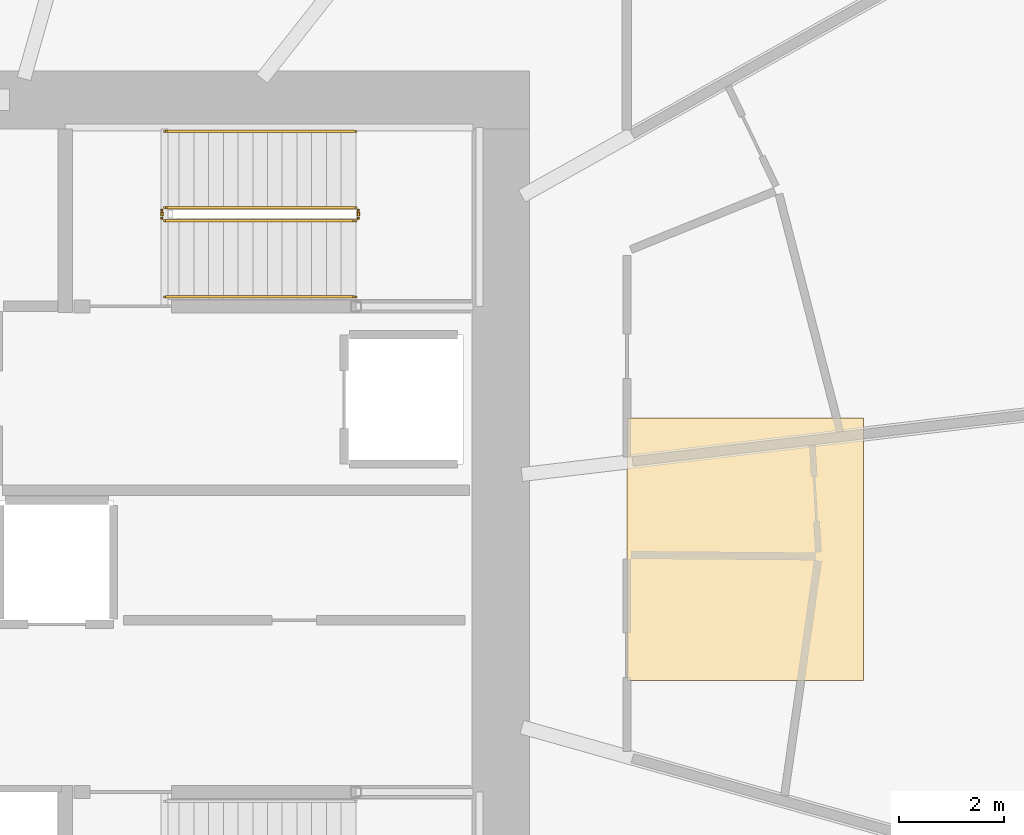
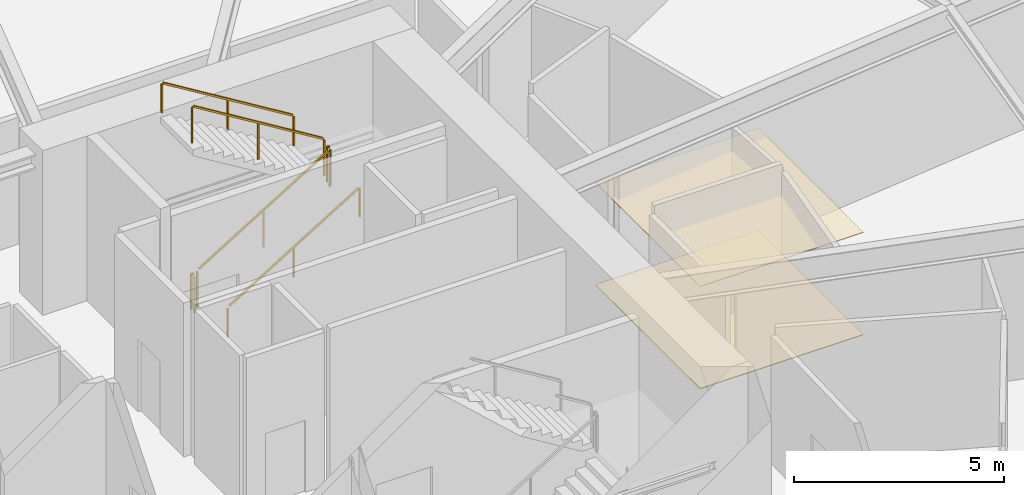
# One storey, part 22 of 22: 6 railings, 2 coverings.
"""IFC4 building model written with IfcOpenShell, lengths in metres."""

import ifcopenshell
import ifcopenshell.guid

model = None  # the IFC model being written
_history = None  # IfcOwnerHistory: only IFC2X3 demands one
_inside = {}  # id of a spatial element -> (the spatial element, [elements in it])
_under = {}  # id of a project, library or spatial element -> (it, [spatial elements below it])
_declared = {}  # id of a project -> (the project, [libraries it declares])
_typed = {}  # id of a type object -> (the type object, [elements of that type])
_made_of = {}  # id of a material, layer set ... -> (it, [elements and type objects made of it])


def new_model(schema):
    """Start an empty IFC model of exactly this schema.

    Asked for "IFC4X3", IfcOpenShell would pick the latest addendum, in which some entities
    have other attributes; the version numbers below select the first issue.
    IFC2X3 requires an IfcOwnerHistory on every rooted entity: one is made here for all.
    """
    global model, _history
    if schema == "IFC4X3":
        model = ifcopenshell.file(schema_version=(4, 3, 0, 0))
    else:
        model = ifcopenshell.file(schema=schema)
    _inside.clear()
    _under.clear()
    _declared.clear()
    _typed.clear()
    _made_of.clear()
    _history = None
    if model.schema == "IFC2X3":
        org = make("IfcOrganization", Name="unknown")
        user = make(
            "IfcPersonAndOrganization",
            ThePerson=make("IfcPerson", FamilyName="unknown"),
            TheOrganization=org,
        )
        app = make(
            "IfcApplication",
            ApplicationDeveloper=org,
            Version="unknown",
            ApplicationFullName="unknown",
            ApplicationIdentifier="unknown",
        )
        _history = make(
            "IfcOwnerHistory",
            OwningUser=user,
            OwningApplication=app,
            ChangeAction="ADDED",
            CreationDate=0,
        )
    return model


def make(cls, **values):
    """One entity of the class cls with the attributes given. An attribute that is None is left unset."""
    return model.create_entity(
        cls, **{name: value for name, value in values.items() if value is not None}
    )


def rooted(cls, **values):
    """An entity with a GlobalId (a new one), such as an element, a storey or a relation."""
    return make(cls, GlobalId=ifcopenshell.guid.new(), OwnerHistory=_history, **values)


def si_unit(unit_type, name, prefix=None):
    """IfcSIUnit, for example si_unit("LENGTHUNIT", "METRE", prefix="MILLI")."""
    return make("IfcSIUnit", UnitType=unit_type, Prefix=prefix, Name=name)


def assignment(units):
    """IfcUnitAssignment: the units of a project."""
    return None if units is None else make("IfcUnitAssignment", Units=units)


def point(xyz):
    """IfcCartesianPoint."""
    return None if xyz is None else make("IfcCartesianPoint", Coordinates=xyz)


def direction(xyz):
    """IfcDirection."""
    return None if xyz is None else make("IfcDirection", DirectionRatios=xyz)


def frame(location, z_axis=None, x_axis=None):
    """IfcAxis2Placement3D, a coordinate frame: its origin and axes. An axis left out is left unset."""
    return make(
        "IfcAxis2Placement3D",
        Location=point(location),
        Axis=direction(z_axis),
        RefDirection=direction(x_axis),
    )


def frame_2d(location, x_axis=None):
    """IfcAxis2Placement2D, a coordinate frame in the plane: its origin and x axis."""
    return make(
        "IfcAxis2Placement2D", Location=point(location), RefDirection=direction(x_axis)
    )


def origin():
    """The frame at (0, 0, 0) with its axes left unset."""
    return frame((0.0, 0.0, 0.0))


def origin_2d():
    """The frame at (0, 0) in the plane with its x axis left unset."""
    return frame_2d((0.0, 0.0))


def place(relative_to, where):
    """IfcLocalPlacement: puts the frame where relative to a parent placement (None: the world)."""
    return make(
        "IfcLocalPlacement", PlacementRelTo=relative_to, RelativePlacement=where
    )


def context(
    kind, dimensions, precision=None, world=None, true_north=None, identifier=None
):
    """IfcGeometricRepresentationContext, for example the 3D "Model" context."""
    return make(
        "IfcGeometricRepresentationContext",
        ContextIdentifier=identifier,
        ContextType=kind,
        CoordinateSpaceDimension=dimensions,
        Precision=precision,
        WorldCoordinateSystem=world,
        TrueNorth=true_north,
    )


def subcontext(parent, identifier, kind, view, scale=None):
    """IfcGeometricRepresentationSubContext, for example "Body" below "Model"."""
    return make(
        "IfcGeometricRepresentationSubContext",
        ContextIdentifier=identifier,
        ContextType=kind,
        ParentContext=parent,
        TargetScale=scale,
        TargetView=view,
    )


def project(units=None, contexts=None):
    """IfcProject with its units and contexts."""
    return rooted(
        "IfcProject",
        Name="project",
        RepresentationContexts=contexts,
        UnitsInContext=assignment(units),
    )


def spatial(cls, under=None, at=None, **own):
    """A site, building, storey or space (cls), placed at a placement, below another one or the project."""
    s = rooted(cls, ObjectPlacement=at, **own)
    if under is not None:
        _under.setdefault(under.id(), (under, []))[1].append(s)
    return s


def polyline(points):
    """IfcPolyline through the points."""
    return make("IfcPolyline", Points=[point(p) for p in points])


def profile(cls, at=None, kind="AREA", **sizes):
    """A parametric profile (cls). Its sizes go by their IFC names, for example OverallWidth=200.0."""
    return make(cls, ProfileType=kind, Position=at, **sizes)


def rectangle(**sizes):
    """IfcRectangleProfileDef."""
    return profile("IfcRectangleProfileDef", **sizes)


def outline(outer, holes=None, kind="AREA"):
    """IfcArbitraryClosedProfileDef: a profile drawn as a closed curve; with holes, ...WithVoids."""
    if holes is None:
        return make("IfcArbitraryClosedProfileDef", ProfileType=kind, OuterCurve=outer)
    return make(
        "IfcArbitraryProfileDefWithVoids",
        ProfileType=kind,
        OuterCurve=outer,
        InnerCurves=holes,
    )


def extrude(swept, where, along, depth):
    """IfcExtrudedAreaSolid: the profile swept, set in the frame where, extruded along a direction by depth."""
    return make(
        "IfcExtrudedAreaSolid",
        SweptArea=swept,
        Position=where,
        ExtrudedDirection=direction(along),
        Depth=depth,
    )


def shape(context_of_items, identifier, shape_type, items):
    """IfcShapeRepresentation: the items that make up one representation, for example the "Body"."""
    return make(
        "IfcShapeRepresentation",
        ContextOfItems=context_of_items,
        RepresentationIdentifier=identifier,
        RepresentationType=shape_type,
        Items=items,
    )


def material(Name=None, Category=None):
    """IfcMaterial."""
    return make("IfcMaterial", Name=Name, Category=Category)


def layer(
    of_material, thickness, ventilated=None, Name=None, Category=None, Priority=None
):
    """IfcMaterialLayer: one layer of a wall or slab, of a material (None: an air gap)."""
    return make(
        "IfcMaterialLayer",
        Material=of_material,
        LayerThickness=thickness,
        IsVentilated=ventilated,
        Name=Name,
        Category=Category,
        Priority=Priority,
    )


def layer_set(layers, Name=None):
    """IfcMaterialLayerSet."""
    return make("IfcMaterialLayerSet", MaterialLayers=layers, LayerSetName=Name)


def made_of(thing, what):
    """Note that an element or type object is made of a material, layer set ...; save() writes the relation."""
    if what is not None:
        _made_of.setdefault(what.id(), (what, []))[1].append(thing)
    return thing


def type_object(cls, material=None, **own):
    """A type object (cls), such as IfcWallType, which elements share."""
    return made_of(rooted(cls, **own), material)


def element(
    cls,
    number,
    at=None,
    inside=None,
    cuts=None,
    type_object=None,
    material=None,
    context=None,
    identifier="Body",
    shape_type=None,
    held_by="IfcProductDefinitionShape",
    body=None,
    shapes=None,
    **own,
):
    """One element of the class cls, such as IfcWall. Its Tag is "e" and its number.

    at: its placement. inside: the storey or other place that contains it. cuts: it is an
    opening in that element (IfcRelVoidsElement). A single representation is given by context,
    identifier, shape_type and body (its items); several are given by shapes. held_by: the class
    of the entity that holds the representations. save() writes the other relations.
    """
    e = rooted(cls, Tag="e%d" % number, ObjectPlacement=at, **own)
    if body is not None:
        shapes = [shape(context, identifier, shape_type, body)]
    if shapes is not None:
        e.Representation = make(held_by, Representations=shapes)
    if inside is not None:
        _inside.setdefault(inside.id(), (inside, []))[1].append(e)
    if cuts is not None:
        rooted(
            "IfcRelVoidsElement", RelatingBuildingElement=cuts, RelatedOpeningElement=e
        )
    if type_object is not None:
        _typed.setdefault(type_object.id(), (type_object, []))[1].append(e)
    return made_of(e, material)


def aggregate(whole, parts):
    """IfcRelAggregates: a whole, such as a stair, and the parts it consists of."""
    return rooted("IfcRelAggregates", RelatingObject=whole, RelatedObjects=parts)


def save(model, path):
    """Write the relations noted so far, then the file.

    IfcRelAggregates (storeys below a building ...), IfcRelContainedInSpatialStructure (elements
    in a storey), IfcRelDefinesByType, IfcRelAssociatesMaterial and IfcRelDeclares: one each for
    every whole, place, type object, material and project.
    """
    for whole, parts in _under.values():
        aggregate(whole, parts)
    for where, things in _inside.values():
        rooted(
            "IfcRelContainedInSpatialStructure",
            RelatedElements=things,
            RelatingStructure=where,
        )
    for kind, things in _typed.values():
        rooted("IfcRelDefinesByType", RelatedObjects=things, RelatingType=kind)
    for what, things in _made_of.values():
        rooted("IfcRelAssociatesMaterial", RelatedObjects=things, RelatingMaterial=what)
    for by, libraries in _declared.values():
        rooted("IfcRelDeclares", RelatingContext=by, RelatedDefinitions=libraries)
    model.write(path)


model = new_model("IFC4")

# Units and contexts
model_context = context("Model", 3, precision=1e-05, world=origin(), true_north=direction((0.0, 1.0)))
body_context = subcontext(model_context, "Body", "Model", "MODEL_VIEW")
ifc_project = project(units=[si_unit("LENGTHUNIT", "METRE"), si_unit("AREAUNIT", "SQUARE_METRE"), si_unit("VOLUMEUNIT", "CUBIC_METRE"), si_unit("PLANEANGLEUNIT", "RADIAN"), si_unit("MASSUNIT", "GRAM", prefix="KILO")], contexts=[model_context])

# Site, building, storey
site_placement = place(None, origin())
site = spatial("IfcSite", under=ifc_project, at=site_placement, CompositionType="ELEMENT")
building_placement = place(site_placement, origin())
building = spatial("IfcBuilding", under=site, at=building_placement, Name="Kazma Halo Residences", CompositionType="ELEMENT")
storey_placement = place(building_placement, frame((0.0, 0.0, 12.0)))
storey = spatial("IfcBuildingStorey", under=building, at=storey_placement, Name="L02", CompositionType="ELEMENT", Elevation=12.0)

# Coverings
ifc_material_1 = material(Name="Perforated Gypsum Acoustic Ceiling")
ifc_layer_1 = layer(ifc_material_1, 0.02490234375)
ifc_layer_set_1 = layer_set([ifc_layer_1], Name="Perforated Gypsum Acoustic Ceiling")
covering_type_1 = type_object("IfcCoveringType", Name="COV-CEIL-ACOUSTIC", PredefinedType="CEILING", material=ifc_layer_set_1)
covering_1_placement = place(storey_placement, frame((0.0, 0.0, 2.97509765625)))
element("IfcCovering", 1, at=covering_1_placement, inside=storey, type_object=covering_type_1, Name="L02 amenity acoustic ceiling", PredefinedType="CEILING", context=body_context, shape_type="SweptSolid", body=[
    extrude(outline(polyline([(62.0, 39.5), (66.5, 39.5), (66.5, 44.5), (62.0, 44.5), (62.0, 39.5)])), origin(), (0.0, 0.0, 1.0), 0.02490234375),
])
ifc_material_2 = material(Name="Polished Limestone Terrazzo Flooring", Category="masonry")
ifc_layer_2 = layer(ifc_material_2, 0.02001953125)
ifc_layer_set_2 = layer_set([ifc_layer_2], Name="Polished Limestone Terrazzo Flooring")
covering_type_2 = type_object("IfcCoveringType", Name="COV-FLR-TERRAZZO", PredefinedType="FLOORING", material=ifc_layer_set_2)
covering_2_placement = place(storey_placement, origin())
element("IfcCovering", 2, at=covering_2_placement, inside=storey, type_object=covering_type_2, Name="L02 amenity terrazzo floor finish", PredefinedType="FLOORING", context=body_context, shape_type="SweptSolid", body=[
    extrude(outline(polyline([(62.0, 39.5), (66.5, 39.5), (66.5, 44.5), (62.0, 44.5), (62.0, 39.5)])), origin(), (0.0, 0.0, 1.0), 0.02001953125),
])

# Railings
ifc_material_3 = material(Name="Painted Steel S355", Category="steel")
railing_type_1 = type_object("IfcRailingType", Name="RLG-STAIR-GRD-1100", PredefinedType="GUARDRAIL", material=ifc_material_3)
railing_1_placement = place(storey_placement, frame((53.199951171875, 48.25, 0.17138671875)))
element("IfcRailing", 3, at=railing_1_placement, inside=storey, type_object=railing_type_1, Name="L02 ST-02 stair guard 1", PredefinedType="GUARDRAIL", context=body_context, shape_type="SweptSolid", body=[
    extrude(rectangle(XDim=0.050048828125, YDim=0.050048828125, at=origin_2d()), frame((0.036376953125, 0.0, 1.09716796875), z_axis=(0.852865859571, 0.0, 0.52213008492), x_axis=(0.0, 1.0, 0.0)), (0.0, 0.0, 1.0), 4.18310546875),
    extrude(rectangle(XDim=0.0400390625, YDim=0.0400390625, at=origin_2d()), origin(), (0.0, 0.0, 1.0), 1.0380859375),
    extrude(rectangle(XDim=0.0400390625, YDim=0.0400390625, at=origin_2d()), frame((1.820068359375, 0.0, 1.1142578125)), (0.0, 0.0, 1.0), 1.0380859375),
    extrude(rectangle(XDim=0.0400390625, YDim=0.0400390625, at=origin_2d()), frame((3.64013671875, 0.0, 2.228515625)), (0.0, 0.0, 1.0), 1.0380859375),
])
railing_2_placement = place(storey_placement, frame((56.889892578125, 48.300048828125, 2.39990234375)))
element("IfcRailing", 4, at=railing_2_placement, inside=storey, type_object=railing_type_1, Name="L02 ST-02 stair guard 2", PredefinedType="GUARDRAIL", context=body_context, shape_type="SweptSolid", body=[
    extrude(rectangle(XDim=0.050048828125, YDim=0.050048828125, at=origin_2d()), frame((0.0, 0.04248046875, 1.0751953125), z_axis=(0.0, 1.0, 0.0), x_axis=(-1.0, 0.0, 0.0)), (0.0, 0.0, 1.0), 0.06494140625),
    extrude(rectangle(XDim=0.0400390625, YDim=0.0400390625, at=origin_2d()), origin(), (0.0, 0.0, 1.0), 1.0380859375),
    extrude(rectangle(XDim=0.0400390625, YDim=0.0400390625, at=origin_2d()), frame((0.0, 0.14990234375, 0.0)), (0.0, 0.0, 1.0), 1.0380859375),
])
railing_3_placement = place(storey_placement, frame((56.840087890625, 48.5, 2.571533203125)))
element("IfcRailing", 5, at=railing_3_placement, inside=storey, type_object=railing_type_1, Name="L02 ST-02 stair guard 3", PredefinedType="GUARDRAIL", context=body_context, shape_type="SweptSolid", body=[
    extrude(rectangle(XDim=0.050048828125, YDim=0.050048828125, at=origin_2d()), frame((-0.036376953125, 0.0, 1.09716796875), z_axis=(-0.852865859571, 0.0, 0.52213008492), x_axis=(0.0, -1.0, 0.0)), (0.0, 0.0, 1.0), 4.18310546875),
    extrude(rectangle(XDim=0.0400390625, YDim=0.0400390625, at=origin_2d()), origin(), (0.0, 0.0, 1.0), 1.0380859375),
    extrude(rectangle(XDim=0.0400390625, YDim=0.0400390625, at=origin_2d()), frame((-1.820068359375, 0.0, 1.1142578125)), (0.0, 0.0, 1.0), 1.0380859375),
    extrude(rectangle(XDim=0.0400390625, YDim=0.0400390625, at=origin_2d()), frame((-3.64013671875, 0.0, 2.228515625)), (0.0, 0.0, 1.0), 1.0380859375),
])
railing_4_placement = place(storey_placement, frame((53.14990234375, 48.300048828125, 0.0)))
element("IfcRailing", 6, at=railing_4_placement, inside=storey, type_object=railing_type_1, Name="L02 ST-02 stair guard 4", PredefinedType="GUARDRAIL", context=body_context, shape_type="SweptSolid", body=[
    extrude(rectangle(XDim=0.050048828125, YDim=0.050048828125, at=origin_2d()), frame((0.0, 0.04248046875, 1.0751953125), z_axis=(0.0, 1.0, 0.0), x_axis=(-1.0, 0.0, 0.0)), (0.0, 0.0, 1.0), 0.06494140625),
    extrude(rectangle(XDim=0.0400390625, YDim=0.0400390625, at=origin_2d()), origin(), (0.0, 0.0, 1.0), 1.0380859375),
    extrude(rectangle(XDim=0.0400390625, YDim=0.0400390625, at=origin_2d()), frame((0.0, 0.14990234375, 0.0)), (0.0, 0.0, 1.0), 1.0380859375),
])
ifc_material_4 = material(Name="Brushed Stainless Steel", Category="steel")
railing_type_2 = type_object("IfcRailingType", Name="RLG-STAIR-HND-900", PredefinedType="HANDRAIL", material=ifc_material_4)
railing_5_placement = place(storey_placement, frame((53.199951171875, 46.800048828125, 0.17138671875)))
element("IfcRailing", 7, at=railing_5_placement, inside=storey, type_object=railing_type_2, Name="L02 ST-02 stair handrail 1", PredefinedType="HANDRAIL", context=body_context, shape_type="SweptSolid", body=[
    extrude(rectangle(XDim=0.050048828125, YDim=0.050048828125, at=origin_2d()), frame((0.036376953125, 0.0, 0.89697265625), z_axis=(0.852865859571, 0.0, 0.52213008492), x_axis=(0.0, 1.0, 0.0)), (0.0, 0.0, 1.0), 4.18310546875),
    extrude(rectangle(XDim=0.0400390625, YDim=0.0400390625, at=origin_2d()), origin(), (0.0, 0.0, 1.0), 0.837890625),
    extrude(rectangle(XDim=0.0400390625, YDim=0.0400390625, at=origin_2d()), frame((1.820068359375, 0.0, 1.1142578125)), (0.0, 0.0, 1.0), 0.837890625),
    extrude(rectangle(XDim=0.0400390625, YDim=0.0400390625, at=origin_2d()), frame((3.64013671875, 0.0, 2.228515625)), (0.0, 0.0, 1.0), 0.837890625),
])
railing_6_placement = place(storey_placement, frame((56.840087890625, 49.949951171875, 2.571533203125)))
element("IfcRailing", 8, at=railing_6_placement, inside=storey, type_object=railing_type_2, Name="L02 ST-02 stair handrail 2", PredefinedType="HANDRAIL", context=body_context, shape_type="SweptSolid", body=[
    extrude(rectangle(XDim=0.050048828125, YDim=0.050048828125, at=origin_2d()), frame((-0.036376953125, 0.0, 0.89697265625), z_axis=(-0.852865859571, 0.0, 0.52213008492), x_axis=(0.0, -1.0, 0.0)), (0.0, 0.0, 1.0), 4.18310546875),
    extrude(rectangle(XDim=0.0400390625, YDim=0.0400390625, at=origin_2d()), origin(), (0.0, 0.0, 1.0), 0.837890625),
    extrude(rectangle(XDim=0.0400390625, YDim=0.0400390625, at=origin_2d()), frame((-1.820068359375, 0.0, 1.1142578125)), (0.0, 0.0, 1.0), 0.837890625),
    extrude(rectangle(XDim=0.0400390625, YDim=0.0400390625, at=origin_2d()), frame((-3.64013671875, 0.0, 2.228515625)), (0.0, 0.0, 1.0), 0.837890625),
])

save(model, "model.ifc")
